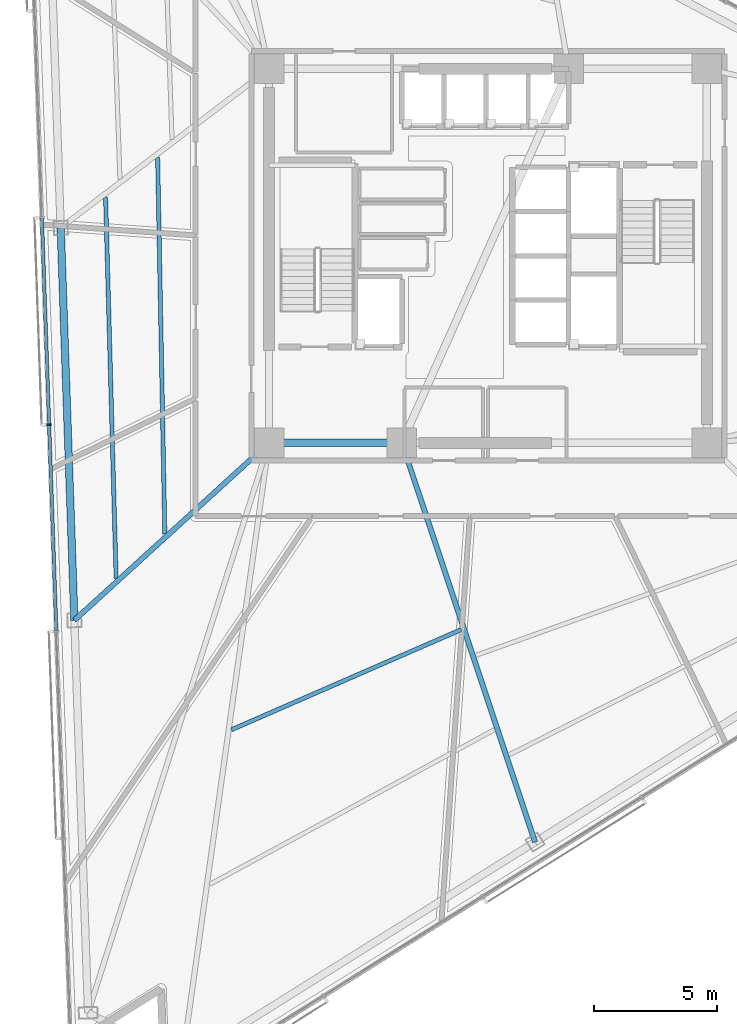
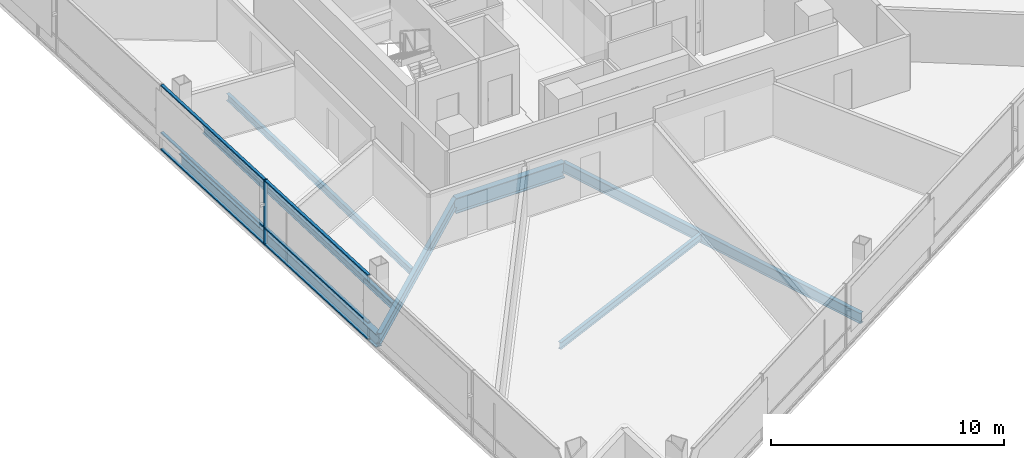
# One storey, part 4 of 20: 7 beams, 7 members, 1 element without a shape of its own.
"""IFC4 building model written with IfcOpenShell, lengths in metres."""

from ifc_helpers import new_model, si_unit, direction, frame, origin, origin_2d, place, context, subcontext, project, spatial, rectangle, i_section, extrude, material, layer, layer_set, material_profile, profile_set, type_object, element, aggregate, save


model = new_model("IFC4")

# Units and contexts
model_context = context("Model", 3, precision=1e-05, world=origin(), true_north=direction((0.0, 1.0)))
body_context = subcontext(model_context, "Body", "Model", "MODEL_VIEW")
ifc_project = project(units=[si_unit("LENGTHUNIT", "METRE"), si_unit("AREAUNIT", "SQUARE_METRE"), si_unit("VOLUMEUNIT", "CUBIC_METRE"), si_unit("PLANEANGLEUNIT", "RADIAN"), si_unit("MASSUNIT", "GRAM", prefix="KILO")], contexts=[model_context])

# Site, building, storey
site_placement = place(None, origin())
site = spatial("IfcSite", under=ifc_project, at=site_placement, CompositionType="ELEMENT")
building_placement = place(site_placement, origin())
building = spatial("IfcBuilding", under=site, at=building_placement, Name="Tharavind Bronze Gate", CompositionType="ELEMENT")
storey_placement = place(building_placement, frame((0.0, 0.0, 149.60009765625)))
storey = spatial("IfcBuildingStorey", under=building, at=storey_placement, Name="L38", CompositionType="ELEMENT", Elevation=149.60009765625)

# Curtain wall, members
ifc_material_1 = material(Name="Anodised Bronze Aluminium", Category="aluminium")
ifc_layer = layer(ifc_material_1, 0.219970703125)
ifc_layer_set = layer_set([ifc_layer], Name="Anodised Bronze Aluminium")
curtain_wall_type = type_object("IfcCurtainWallType", Name="UNITISED CURTAIN WALL MID OFFICE", PredefinedType="USERDEFINED", material=ifc_layer_set)
curtain_wall_placement = place(storey_placement, origin())
curtain_wall = element("IfcCurtainWall", 1, at=curtain_wall_placement, inside=storey, type_object=curtain_wall_type, Name="L38 unitised curtain wall mid office CW-L38-S1", ObjectType="UNITISED CURTAIN WALL", PredefinedType="USERDEFINED")
member_type_1 = type_object("IfcMemberType", Name="CURTAIN WALL BRONZE MULLION 65X180", PredefinedType="MULLION", material=ifc_material_1)
member_1_placement = place(storey_placement, frame((-17.8388671875, -6.86376953125, 0.0), z_axis=(0.0, 0.0, 1.0), x_axis=(0.034899496703, -0.999390827019, 0.0)))
member_1 = element("IfcMember", 2, at=member_1_placement, type_object=member_type_1, Name="CW-L38-S1 mullion 4", PredefinedType="MULLION", context=body_context, shape_type="SweptSolid", body=[
    extrude(rectangle(XDim=0.06494140625, YDim=0.179931640625, at=origin_2d()), origin(), (0.0, 0.0, 1.0), 3.409912109375),
])
member_type_2 = type_object("IfcMemberType", Name="CURTAIN WALL BRONZE TRANSOM 65X140", PredefinedType="USERDEFINED", material=ifc_material_1)
member_2_placement = place(storey_placement, frame((-17.985595703125, -2.6591796875, 0.0), z_axis=(0.0, 0.0, 1.0), x_axis=(0.034899496703, -0.999390827019, 0.0)))
member_2 = element("IfcMember", 3, at=member_2_placement, type_object=member_type_2, Name="CW-L38-S1 transom TB3", ObjectType="TRANSOM", PredefinedType="USERDEFINED", context=body_context, shape_type="SweptSolid", body=[
    extrude(rectangle(XDim=8.361572265625, YDim=0.139892578125, at=origin_2d()), origin(), (0.0, 0.0, 1.0), 0.06494140625),
])
member_3_placement = place(storey_placement, frame((-17.985595703125, -2.6591796875, 0.867431640625), z_axis=(0.0, 0.0, 1.0), x_axis=(0.034899496703, -0.999390827019, 0.0)))
member_3 = element("IfcMember", 4, at=member_3_placement, type_object=member_type_2, Name="CW-L38-S1 transom TS3", ObjectType="TRANSOM", PredefinedType="USERDEFINED", context=body_context, shape_type="SweptSolid", body=[
    extrude(rectangle(XDim=8.361572265625, YDim=0.139892578125, at=origin_2d()), origin(), (0.0, 0.0, 1.0), 0.06494140625),
])
member_4_placement = place(storey_placement, frame((-17.985595703125, -2.6591796875, 3.344970703125), z_axis=(0.0, 0.0, 1.0), x_axis=(0.034899496703, -0.999390827019, 0.0)))
member_4 = element("IfcMember", 5, at=member_4_placement, type_object=member_type_2, Name="CW-L38-S1 transom TT3", ObjectType="TRANSOM", PredefinedType="USERDEFINED", context=body_context, shape_type="SweptSolid", body=[
    extrude(rectangle(XDim=8.361572265625, YDim=0.139892578125, at=origin_2d()), origin(), (0.0, 0.0, 1.0), 0.06494140625),
])
member_5_placement = place(storey_placement, frame((-17.69189453125, -11.068603515625, 0.0), z_axis=(0.0, 0.0, 1.0), x_axis=(0.034899496703, -0.999390827019, 0.0)))
member_5 = element("IfcMember", 6, at=member_5_placement, type_object=member_type_2, Name="CW-L38-S1 transom TB4", ObjectType="TRANSOM", PredefinedType="USERDEFINED", context=body_context, shape_type="SweptSolid", body=[
    extrude(rectangle(XDim=8.361572265625, YDim=0.139892578125, at=origin_2d()), origin(), (0.0, 0.0, 1.0), 0.06494140625),
])
member_6_placement = place(storey_placement, frame((-17.69189453125, -11.068603515625, 0.867431640625), z_axis=(0.0, 0.0, 1.0), x_axis=(0.034899496703, -0.999390827019, 0.0)))
member_6 = element("IfcMember", 7, at=member_6_placement, type_object=member_type_2, Name="CW-L38-S1 transom TS4", ObjectType="TRANSOM", PredefinedType="USERDEFINED", context=body_context, shape_type="SweptSolid", body=[
    extrude(rectangle(XDim=8.361572265625, YDim=0.139892578125, at=origin_2d()), origin(), (0.0, 0.0, 1.0), 0.06494140625),
])
member_7_placement = place(storey_placement, frame((-17.69189453125, -11.068603515625, 3.344970703125), z_axis=(0.0, 0.0, 1.0), x_axis=(0.034899496703, -0.999390827019, 0.0)))
member_7 = element("IfcMember", 8, at=member_7_placement, type_object=member_type_2, Name="CW-L38-S1 transom TT4", ObjectType="TRANSOM", PredefinedType="USERDEFINED", context=body_context, shape_type="SweptSolid", body=[
    extrude(rectangle(XDim=8.361572265625, YDim=0.139892578125, at=origin_2d()), origin(), (0.0, 0.0, 1.0), 0.06494140625),
])
aggregate(curtain_wall, [member_1, member_2, member_3, member_4, member_5, member_6, member_7])

# Beams
ifc_material_2 = material(Name="Steel S355", Category="steel")
ifc_material_profile_1 = material_profile(ifc_material_2, i_section(OverallWidth=0.2099609375, OverallDepth=0.550048828125, WebThickness=0.010986328125, FlangeThickness=0.01708984375, at=origin_2d()), Name="IPE550")
ifc_profile_set_1 = profile_set([ifc_material_profile_1], Name="Steel S355")
beam_type_1 = type_object("IfcBeamType", Name="PRIMARY GIRDER IPE550", PredefinedType="USERDEFINED", material=ifc_profile_set_1)
beam_1_placement = place(storey_placement, frame((-16.810791015625, -14.814208984375, -0.465087890625), z_axis=(0.738898073341, 0.673817213503, 0.0), x_axis=(-0.673817213503, 0.738898073341, 0.0)))
element("IfcBeam", 9, at=beam_1_placement, inside=storey, type_object=beam_type_1, Name="L38 primary girder ipe550 BM-L38-RAD03", ObjectType="GIRDER", PredefinedType="USERDEFINED", context=body_context, shape_type="SweptSolid", body=[
    extrude(i_section(OverallWidth=0.2099609375, OverallDepth=0.550048828125, WebThickness=0.010986328125, FlangeThickness=0.01708984375, at=origin_2d()), origin(), (0.0, 0.0, 1.0), 10.706298828125),
])
beam_2_placement = place(storey_placement, frame((1.912353515625, -23.827880859375, -0.465087890625), z_axis=(-0.316390459334, 0.948629051444, 0.0), x_axis=(-0.948629051444, -0.316390459334, 0.0)))
element("IfcBeam", 10, at=beam_2_placement, inside=storey, type_object=beam_type_1, Name="L38 primary girder ipe550 BM-L38-RAD06", ObjectType="GIRDER", PredefinedType="USERDEFINED", context=body_context, shape_type="SweptSolid", body=[
    extrude(i_section(OverallWidth=0.2099609375, OverallDepth=0.550048828125, WebThickness=0.010986328125, FlangeThickness=0.01708984375, at=origin_2d()), origin(), (0.0, 0.0, 1.0), 17.1064453125),
])
ifc_material_profile_2 = material_profile(ifc_material_2, i_section(OverallWidth=0.300048828125, OverallDepth=0.699951171875, WebThickness=0.01708984375, FlangeThickness=0.031982421875, at=origin_2d()), Name="HE700B")
ifc_profile_set_2 = profile_set([ifc_material_profile_2], Name="Steel S355")
beam_type_2 = type_object("IfcBeamType", Name="RING GIRDER HE700B", PredefinedType="USERDEFINED", material=ifc_profile_set_2)
beam_3_placement = place(storey_placement, frame((-17.367919921875, 1.138916015625, -0.5400390625), z_axis=(0.03490159311, -0.999390753809, 0.0), x_axis=(0.999390753809, 0.03490159311, 0.0)))
element("IfcBeam", 11, at=beam_3_placement, inside=storey, type_object=beam_type_2, Name="L38 ring girder he700b BM-L38-PRG02", ObjectType="GIRDER", PredefinedType="USERDEFINED", context=body_context, shape_type="SweptSolid", body=[
    extrude(i_section(OverallWidth=0.300048828125, OverallDepth=0.699951171875, WebThickness=0.01708984375, FlangeThickness=0.031982421875, at=origin_2d()), origin(), (0.0, 0.0, 1.0), 15.962890625),
])
ifc_material_profile_3 = material_profile(ifc_material_2, i_section(OverallWidth=0.300048828125, OverallDepth=0.800048828125, WebThickness=0.017578125, FlangeThickness=0.032958984375, at=origin_2d()), Name="HE800B")
ifc_profile_set_3 = profile_set([ifc_material_profile_3], Name="Steel S355")
beam_type_3 = type_object("IfcBeamType", Name="RING GIRDER HE800B", PredefinedType="USERDEFINED", material=ifc_profile_set_3)
beam_4_placement = place(storey_placement, frame((-8.89990234375, -7.60009765625, -0.590087890625), z_axis=(1.0, 0.0, 0.0), x_axis=(0.0, 1.0, 0.0)))
element("IfcBeam", 12, at=beam_4_placement, inside=storey, type_object=beam_type_3, Name="L38 ring girder he800b BM-L38-CR1", ObjectType="GIRDER", PredefinedType="USERDEFINED", context=body_context, shape_type="SweptSolid", body=[
    extrude(i_section(OverallWidth=0.300048828125, OverallDepth=0.800048828125, WebThickness=0.017578125, FlangeThickness=0.032958984375, at=origin_2d()), origin(), (0.0, 0.0, 1.0), 5.39990234375),
])
ifc_material_profile_4 = material_profile(ifc_material_2, i_section(OverallWidth=0.169921875, OverallDepth=0.360107421875, WebThickness=0.008056640625, FlangeThickness=0.0126953125, at=origin_2d()), Name="IPE360")
ifc_profile_set_4 = profile_set([ifc_material_profile_4], Name="Steel S355")
beam_type_4 = type_object("IfcBeamType", Name="SECONDARY FLOOR JOIST IPE360", PredefinedType="JOIST", material=ifc_profile_set_4)
beam_5_placement = place(storey_placement, frame((-13.427734375, 4.00927734375, -0.3701171875), z_axis=(0.019097389541, -0.999817628227, 0.0), x_axis=(0.999817628227, 0.019097389541, 0.0)))
element("IfcBeam", 13, at=beam_5_placement, inside=storey, type_object=beam_type_4, Name="L38 secondary floor joist ipe360 BM-L38-JSTA02", PredefinedType="JOIST", context=body_context, shape_type="SweptSolid", body=[
    extrude(i_section(OverallWidth=0.169921875, OverallDepth=0.360107421875, WebThickness=0.008056640625, FlangeThickness=0.0126953125, at=origin_2d()), origin(), (0.0, 0.0, 1.0), 15.327880859375),
])
beam_6_placement = place(storey_placement, frame((-15.54345703125, 2.394775390625, -0.3701171875), z_axis=(0.027683678479, -0.999616733526, 0.0), x_axis=(0.999616733526, 0.027683678479, 0.0)))
element("IfcBeam", 14, at=beam_6_placement, inside=storey, type_object=beam_type_4, Name="L38 secondary floor joist ipe360 BM-L38-JSTB02", PredefinedType="JOIST", context=body_context, shape_type="SweptSolid", body=[
    extrude(i_section(OverallWidth=0.169921875, OverallDepth=0.360107421875, WebThickness=0.008056640625, FlangeThickness=0.0126953125, at=origin_2d()), origin(), (0.0, 0.0, 1.0), 15.521240234375),
])
beam_7_placement = place(storey_placement, frame((-10.42919921875, -19.26513671875, -0.3701171875), z_axis=(0.916635905252, 0.399723175715, 0.0), x_axis=(-0.399723175715, 0.916635905252, 0.0)))
element("IfcBeam", 15, at=beam_7_placement, inside=storey, type_object=beam_type_4, Name="L38 secondary floor joist ipe360 BM-L38-JSTA05", PredefinedType="JOIST", context=body_context, shape_type="SweptSolid", body=[
    extrude(i_section(OverallWidth=0.169921875, OverallDepth=0.360107421875, WebThickness=0.008056640625, FlangeThickness=0.0126953125, at=origin_2d()), origin(), (0.0, 0.0, 1.0), 10.195556640625),
])

save(model, "model.ifc")
